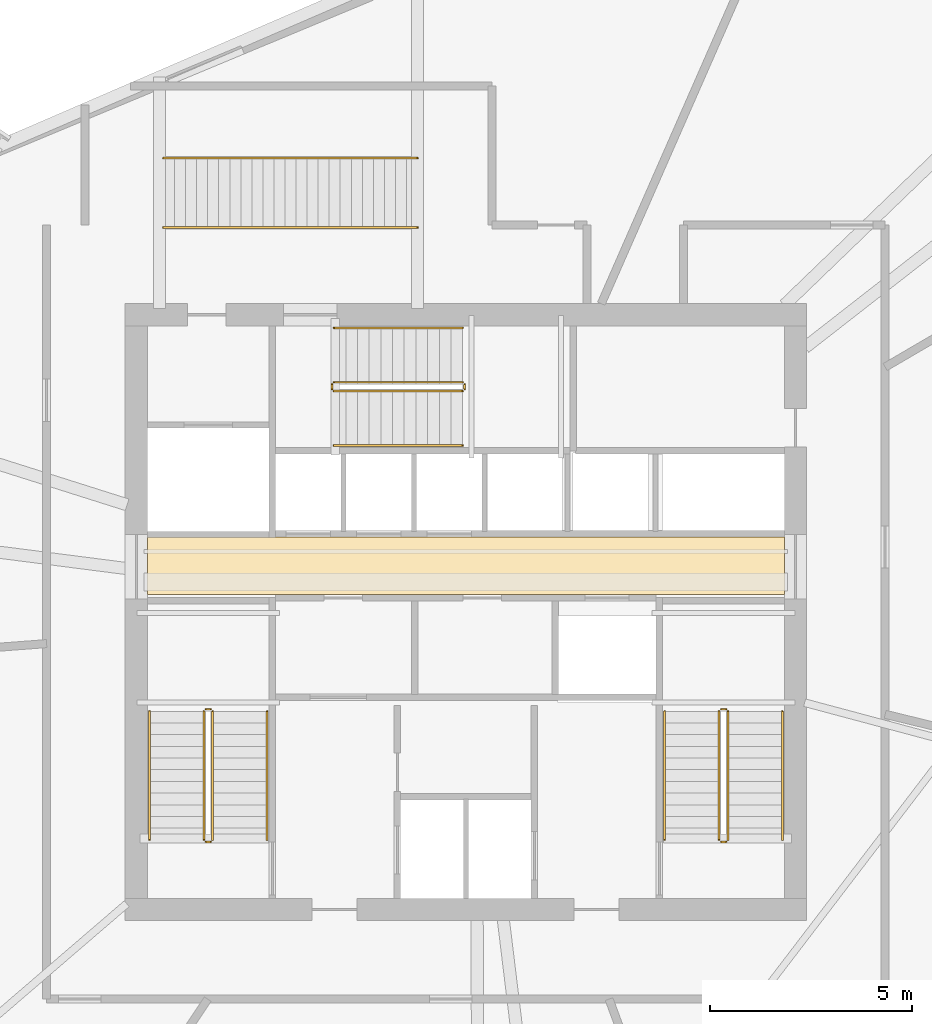
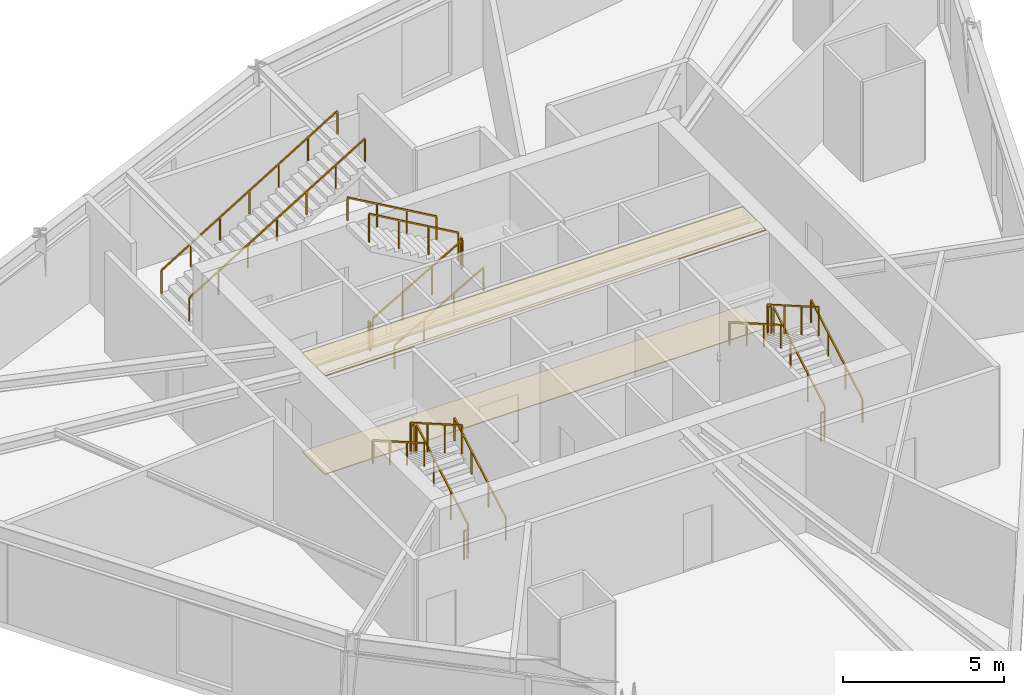
# One storey, part 13 of 14: 20 railings, 2 coverings.
"""IFC4 building model written with IfcOpenShell, lengths in metres."""

from ifc_helpers import new_model, si_unit, direction, frame, origin, origin_2d, place, context, subcontext, project, spatial, polyline, rectangle, outline, extrude, material, layer, layer_set, type_object, element, save


model = new_model("IFC4")

# Units and contexts
model_context = context("Model", 3, precision=1e-05, world=origin(), true_north=direction((0.0, 1.0)))
body_context = subcontext(model_context, "Body", "Model", "MODEL_VIEW")
ifc_project = project(units=[si_unit("LENGTHUNIT", "METRE"), si_unit("AREAUNIT", "SQUARE_METRE"), si_unit("VOLUMEUNIT", "CUBIC_METRE"), si_unit("PLANEANGLEUNIT", "RADIAN"), si_unit("MASSUNIT", "GRAM", prefix="KILO")], contexts=[model_context])

# Site, building, storey
site_placement = place(None, origin())
site = spatial("IfcSite", under=ifc_project, at=site_placement, CompositionType="ELEMENT")
building_placement = place(site_placement, origin())
building = spatial("IfcBuilding", under=site, at=building_placement, Name="Olszyna Solenne Hotel", CompositionType="ELEMENT")
storey_placement = place(building_placement, frame((0.0, 0.0, 196.300048828125)))
storey = spatial("IfcBuildingStorey", under=building, at=storey_placement, Name="L52", CompositionType="ELEMENT", Elevation=196.300048828125)

# Coverings
ifc_material_1 = material(Name="Mineral wool acoustic ceiling")
ifc_layer_1 = layer(ifc_material_1, 0.0400390625, Name="Mineral wool acoustic ceiling")
ifc_layer_set_1 = layer_set([ifc_layer_1], Name="Mineral wool acoustic ceiling")
covering_type_1 = type_object("IfcCoveringType", Name="CL-AC1", PredefinedType="CEILING", material=ifc_layer_set_1)
covering_1_placement = place(storey_placement, frame((0.0, 0.0, 3.719970703125)))
element("IfcCovering", 1, at=covering_1_placement, inside=storey, type_object=covering_type_1, Name="Lift lobby acoustic tile ceiling CL-L52-01", PredefinedType="CEILING", context=body_context, shape_type="SweptSolid", body=[
    extrude(outline(polyline([(30.10009765625, 27.030029296875), (45.89990234375, 27.030029296875), (45.89990234375, 28.4599609375), (30.10009765625, 28.4599609375), (30.10009765625, 27.030029296875)])), origin(), (0.0, 0.0, 1.0), 0.0400390625),
])
ifc_material_2 = material(Name="Ceramic floor tile")
ifc_layer_2 = layer(ifc_material_2, 0.030029296875, Name="Ceramic floor tile")
ifc_layer_set_2 = layer_set([ifc_layer_2], Name="Ceramic floor tile")
covering_type_2 = type_object("IfcCoveringType", Name="FL-TL1", PredefinedType="FLOORING", material=ifc_layer_set_2)
covering_2_placement = place(storey_placement, origin())
element("IfcCovering", 2, at=covering_2_placement, inside=storey, type_object=covering_type_2, Name="Lift lobby stoneware floor finish FLR-L52-01", PredefinedType="FLOORING", context=body_context, shape_type="SweptSolid", body=[
    extrude(outline(polyline([(30.10009765625, 27.030029296875), (45.89990234375, 27.030029296875), (45.89990234375, 28.4599609375), (30.10009765625, 28.4599609375), (30.10009765625, 27.030029296875)])), origin(), (0.0, 0.0, 1.0), 0.030029296875),
])

# Railings
ifc_material_3 = material(Name="Anodised bronze aluminium", Category="aluminium")
railing_type_1 = type_object("IfcRailingType", Name="GR-110", PredefinedType="BALUSTRADE", material=ifc_material_3)
railing_1_placement = place(storey_placement, frame((31.719970703125, 20.949951171875, 0.16650390625)))
element("IfcRailing", 3, at=railing_1_placement, inside=storey, type_object=railing_type_1, Name="L52 ST1 stair guard 1", PredefinedType="BALUSTRADE", context=body_context, shape_type="SweptSolid", body=[
    extrude(rectangle(XDim=0.048095703125, YDim=0.048095703125, at=origin_2d()), frame((0.0, 0.0, 1.076171875), z_axis=(0.0, 0.86699087805, 0.498324008431), x_axis=(-1.0, 0.0, 0.0)), (0.0, 0.0, 1.0), 3.679443359375),
    extrude(rectangle(XDim=0.0419921875, YDim=0.0419921875, at=origin_2d()), origin(), (0.0, 0.0, 1.0), 1.052001953125),
    extrude(rectangle(XDim=0.0419921875, YDim=0.0419921875, at=origin_2d()), frame((0.0, 1.063232421875, 0.611083984375)), (0.0, 0.0, 1.0), 1.052001953125),
    extrude(rectangle(XDim=0.0419921875, YDim=0.0419921875, at=origin_2d()), frame((0.0, 2.126708984375, 1.222412109375)), (0.0, 0.0, 1.0), 1.052001953125),
    extrude(rectangle(XDim=0.0419921875, YDim=0.0419921875, at=origin_2d()), frame((0.0, 3.18994140625, 1.83349609375)), (0.0, 0.0, 1.0), 1.052001953125),
])
railing_2_placement = place(storey_placement, frame((31.669921875, 24.18994140625, 2.0)))
element("IfcRailing", 4, at=railing_2_placement, inside=storey, type_object=railing_type_1, Name="L52 ST1 stair guard 2", PredefinedType="BALUSTRADE", context=body_context, shape_type="SweptSolid", body=[
    extrude(rectangle(XDim=0.048095703125, YDim=0.048095703125, at=origin_2d()), frame((0.0, 0.0, 1.076171875), z_axis=(-1.0, 0.0, 0.0), x_axis=(0.0, -1.0, 0.0)), (0.0, 0.0, 1.0), 0.119873046875),
    extrude(rectangle(XDim=0.0419921875, YDim=0.0419921875, at=origin_2d()), origin(), (0.0, 0.0, 1.0), 1.052001953125),
    extrude(rectangle(XDim=0.0419921875, YDim=0.0419921875, at=origin_2d()), frame((-0.119873046875, 0.0, 0.0)), (0.0, 0.0, 1.0), 1.052001953125),
])
railing_3_placement = place(storey_placement, frame((31.5, 24.139892578125, 2.16650390625)))
element("IfcRailing", 5, at=railing_3_placement, inside=storey, type_object=railing_type_1, Name="L52 ST1 stair guard 3", PredefinedType="BALUSTRADE", context=body_context, shape_type="SweptSolid", body=[
    extrude(rectangle(XDim=0.048095703125, YDim=0.048095703125, at=origin_2d()), frame((0.0, 0.0, 1.076171875), z_axis=(0.0, -0.86699087805, 0.498324008431), x_axis=(1.0, 0.0, 0.0)), (0.0, 0.0, 1.0), 3.679443359375),
    extrude(rectangle(XDim=0.0419921875, YDim=0.0419921875, at=origin_2d()), origin(), (0.0, 0.0, 1.0), 1.052001953125),
    extrude(rectangle(XDim=0.0419921875, YDim=0.0419921875, at=origin_2d()), frame((0.0, -1.063232421875, 0.611083984375)), (0.0, 0.0, 1.0), 1.052001953125),
    extrude(rectangle(XDim=0.0419921875, YDim=0.0419921875, at=origin_2d()), frame((0.0, -2.126708984375, 1.222412109375)), (0.0, 0.0, 1.0), 1.052001953125),
    extrude(rectangle(XDim=0.0419921875, YDim=0.0419921875, at=origin_2d()), frame((0.0, -3.18994140625, 1.83349609375)), (0.0, 0.0, 1.0), 1.052001953125),
])
railing_4_placement = place(storey_placement, frame((31.669921875, 20.89990234375, 0.0)))
element("IfcRailing", 6, at=railing_4_placement, inside=storey, type_object=railing_type_1, Name="L52 ST1 stair guard 4", PredefinedType="BALUSTRADE", context=body_context, shape_type="SweptSolid", body=[
    extrude(rectangle(XDim=0.048095703125, YDim=0.048095703125, at=origin_2d()), frame((0.0, 0.0, 1.076171875), z_axis=(-1.0, 0.0, 0.0), x_axis=(0.0, -1.0, 0.0)), (0.0, 0.0, 1.0), 0.119873046875),
    extrude(rectangle(XDim=0.0419921875, YDim=0.0419921875, at=origin_2d()), origin(), (0.0, 0.0, 1.0), 1.052001953125),
    extrude(rectangle(XDim=0.0419921875, YDim=0.0419921875, at=origin_2d()), frame((-0.119873046875, 0.0, 0.0)), (0.0, 0.0, 1.0), 1.052001953125),
])
railing_5_placement = place(storey_placement, frame((44.5, 20.949951171875, 0.16650390625)))
element("IfcRailing", 7, at=railing_5_placement, inside=storey, type_object=railing_type_1, Name="L52 ST2 stair guard 1", PredefinedType="BALUSTRADE", context=body_context, shape_type="SweptSolid", body=[
    extrude(rectangle(XDim=0.048095703125, YDim=0.048095703125, at=origin_2d()), frame((0.0, 0.0, 1.076171875), z_axis=(0.0, 0.86699087805, 0.498324008431), x_axis=(-1.0, 0.0, 0.0)), (0.0, 0.0, 1.0), 3.679443359375),
    extrude(rectangle(XDim=0.0419921875, YDim=0.0419921875, at=origin_2d()), origin(), (0.0, 0.0, 1.0), 1.052001953125),
    extrude(rectangle(XDim=0.0419921875, YDim=0.0419921875, at=origin_2d()), frame((0.0, 1.063232421875, 0.611083984375)), (0.0, 0.0, 1.0), 1.052001953125),
    extrude(rectangle(XDim=0.0419921875, YDim=0.0419921875, at=origin_2d()), frame((0.0, 2.126708984375, 1.222412109375)), (0.0, 0.0, 1.0), 1.052001953125),
    extrude(rectangle(XDim=0.0419921875, YDim=0.0419921875, at=origin_2d()), frame((0.0, 3.18994140625, 1.83349609375)), (0.0, 0.0, 1.0), 1.052001953125),
])
railing_6_placement = place(storey_placement, frame((44.449951171875, 24.18994140625, 2.0)))
element("IfcRailing", 8, at=railing_6_placement, inside=storey, type_object=railing_type_1, Name="L52 ST2 stair guard 2", PredefinedType="BALUSTRADE", context=body_context, shape_type="SweptSolid", body=[
    extrude(rectangle(XDim=0.048095703125, YDim=0.048095703125, at=origin_2d()), frame((0.0, 0.0, 1.076171875), z_axis=(-1.0, 0.0, 0.0), x_axis=(0.0, -1.0, 0.0)), (0.0, 0.0, 1.0), 0.119873046875),
    extrude(rectangle(XDim=0.0419921875, YDim=0.0419921875, at=origin_2d()), origin(), (0.0, 0.0, 1.0), 1.052001953125),
    extrude(rectangle(XDim=0.0419921875, YDim=0.0419921875, at=origin_2d()), frame((-0.119873046875, 0.0, 0.0)), (0.0, 0.0, 1.0), 1.052001953125),
])
railing_7_placement = place(storey_placement, frame((44.280029296875, 24.139892578125, 2.16650390625)))
element("IfcRailing", 9, at=railing_7_placement, inside=storey, type_object=railing_type_1, Name="L52 ST2 stair guard 3", PredefinedType="BALUSTRADE", context=body_context, shape_type="SweptSolid", body=[
    extrude(rectangle(XDim=0.048095703125, YDim=0.048095703125, at=origin_2d()), frame((0.0, 0.0, 1.076171875), z_axis=(0.0, -0.86699087805, 0.498324008431), x_axis=(1.0, 0.0, 0.0)), (0.0, 0.0, 1.0), 3.679443359375),
    extrude(rectangle(XDim=0.0419921875, YDim=0.0419921875, at=origin_2d()), origin(), (0.0, 0.0, 1.0), 1.052001953125),
    extrude(rectangle(XDim=0.0419921875, YDim=0.0419921875, at=origin_2d()), frame((0.0, -1.063232421875, 0.611083984375)), (0.0, 0.0, 1.0), 1.052001953125),
    extrude(rectangle(XDim=0.0419921875, YDim=0.0419921875, at=origin_2d()), frame((0.0, -2.126708984375, 1.222412109375)), (0.0, 0.0, 1.0), 1.052001953125),
    extrude(rectangle(XDim=0.0419921875, YDim=0.0419921875, at=origin_2d()), frame((0.0, -3.18994140625, 1.83349609375)), (0.0, 0.0, 1.0), 1.052001953125),
])
railing_8_placement = place(storey_placement, frame((44.449951171875, 20.89990234375, 0.0)))
element("IfcRailing", 10, at=railing_8_placement, inside=storey, type_object=railing_type_1, Name="L52 ST2 stair guard 4", PredefinedType="BALUSTRADE", context=body_context, shape_type="SweptSolid", body=[
    extrude(rectangle(XDim=0.048095703125, YDim=0.048095703125, at=origin_2d()), frame((0.0, 0.0, 1.076171875), z_axis=(-1.0, 0.0, 0.0), x_axis=(0.0, -1.0, 0.0)), (0.0, 0.0, 1.0), 0.119873046875),
    extrude(rectangle(XDim=0.0419921875, YDim=0.0419921875, at=origin_2d()), origin(), (0.0, 0.0, 1.0), 1.052001953125),
    extrude(rectangle(XDim=0.0419921875, YDim=0.0419921875, at=origin_2d()), frame((-0.119873046875, 0.0, 0.0)), (0.0, 0.0, 1.0), 1.052001953125),
])
railing_9_placement = place(storey_placement, frame((34.72998046875, 32.080078125, 0.16650390625)))
element("IfcRailing", 11, at=railing_9_placement, inside=storey, type_object=railing_type_1, Name="L52 ST3 stair guard 1", PredefinedType="BALUSTRADE", context=body_context, shape_type="SweptSolid", body=[
    extrude(rectangle(XDim=0.048095703125, YDim=0.048095703125, at=origin_2d()), frame((0.0, 0.0, 1.076171875), z_axis=(0.86699087805, 0.0, 0.498324008431), x_axis=(0.0, 1.0, 0.0)), (0.0, 0.0, 1.0), 3.679443359375),
    extrude(rectangle(XDim=0.0419921875, YDim=0.0419921875, at=origin_2d()), origin(), (0.0, 0.0, 1.0), 1.052001953125),
    extrude(rectangle(XDim=0.0419921875, YDim=0.0419921875, at=origin_2d()), frame((1.063232421875, 0.0, 0.611083984375)), (0.0, 0.0, 1.0), 1.052001953125),
    extrude(rectangle(XDim=0.0419921875, YDim=0.0419921875, at=origin_2d()), frame((2.126708984375, 0.0, 1.222412109375)), (0.0, 0.0, 1.0), 1.052001953125),
    extrude(rectangle(XDim=0.0419921875, YDim=0.0419921875, at=origin_2d()), frame((3.18994140625, 0.0, 1.83349609375)), (0.0, 0.0, 1.0), 1.052001953125),
])
railing_10_placement = place(storey_placement, frame((37.969970703125, 32.1298828125, 2.0)))
element("IfcRailing", 12, at=railing_10_placement, inside=storey, type_object=railing_type_1, Name="L52 ST3 stair guard 2", PredefinedType="BALUSTRADE", context=body_context, shape_type="SweptSolid", body=[
    extrude(rectangle(XDim=0.048095703125, YDim=0.048095703125, at=origin_2d()), frame((0.0, 0.0, 1.076171875), z_axis=(0.0, 1.0, 0.0), x_axis=(-1.0, 0.0, 0.0)), (0.0, 0.0, 1.0), 0.1201171875),
    extrude(rectangle(XDim=0.0419921875, YDim=0.0419921875, at=origin_2d()), origin(), (0.0, 0.0, 1.0), 1.052001953125),
    extrude(rectangle(XDim=0.0419921875, YDim=0.0419921875, at=origin_2d()), frame((0.0, 0.1201171875, 0.0)), (0.0, 0.0, 1.0), 1.052001953125),
])
railing_11_placement = place(storey_placement, frame((37.919921875, 32.300048828125, 2.16650390625)))
element("IfcRailing", 13, at=railing_11_placement, inside=storey, type_object=railing_type_1, Name="L52 ST3 stair guard 3", PredefinedType="BALUSTRADE", context=body_context, shape_type="SweptSolid", body=[
    extrude(rectangle(XDim=0.048095703125, YDim=0.048095703125, at=origin_2d()), frame((0.0, 0.0, 1.076171875), z_axis=(-0.86699087805, 0.0, 0.498324008431), x_axis=(0.0, -1.0, 0.0)), (0.0, 0.0, 1.0), 3.679443359375),
    extrude(rectangle(XDim=0.0419921875, YDim=0.0419921875, at=origin_2d()), origin(), (0.0, 0.0, 1.0), 1.052001953125),
    extrude(rectangle(XDim=0.0419921875, YDim=0.0419921875, at=origin_2d()), frame((-1.063232421875, 0.0, 0.611083984375)), (0.0, 0.0, 1.0), 1.052001953125),
    extrude(rectangle(XDim=0.0419921875, YDim=0.0419921875, at=origin_2d()), frame((-2.126708984375, 0.0, 1.222412109375)), (0.0, 0.0, 1.0), 1.052001953125),
    extrude(rectangle(XDim=0.0419921875, YDim=0.0419921875, at=origin_2d()), frame((-3.18994140625, 0.0, 1.83349609375)), (0.0, 0.0, 1.0), 1.052001953125),
])
railing_12_placement = place(storey_placement, frame((34.679931640625, 32.1298828125, 0.0)))
element("IfcRailing", 14, at=railing_12_placement, inside=storey, type_object=railing_type_1, Name="L52 ST3 stair guard 4", PredefinedType="BALUSTRADE", context=body_context, shape_type="SweptSolid", body=[
    extrude(rectangle(XDim=0.048095703125, YDim=0.048095703125, at=origin_2d()), frame((0.0, 0.0, 1.076171875), z_axis=(0.0, 1.0, 0.0), x_axis=(-1.0, 0.0, 0.0)), (0.0, 0.0, 1.0), 0.1201171875),
    extrude(rectangle(XDim=0.0419921875, YDim=0.0419921875, at=origin_2d()), origin(), (0.0, 0.0, 1.0), 1.052001953125),
    extrude(rectangle(XDim=0.0419921875, YDim=0.0419921875, at=origin_2d()), frame((0.0, 0.1201171875, 0.0)), (0.0, 0.0, 1.0), 1.052001953125),
])
ifc_material_4 = material(Name="Steel S355J2", Category="steel")
railing_type_2 = type_object("IfcRailingType", Name="HR-090", PredefinedType="HANDRAIL", material=ifc_material_4)
railing_13_placement = place(storey_placement, frame((33.070068359375, 20.949951171875, 0.16650390625)))
element("IfcRailing", 15, at=railing_13_placement, inside=storey, type_object=railing_type_2, Name="L52 ST1 stair handrail 1", PredefinedType="HANDRAIL", context=body_context, shape_type="SweptSolid", body=[
    extrude(rectangle(XDim=0.048095703125, YDim=0.048095703125, at=origin_2d()), frame((0.0, 0.0, 0.8759765625), z_axis=(0.0, 0.86699087805, 0.498324008431), x_axis=(-1.0, 0.0, 0.0)), (0.0, 0.0, 1.0), 3.679443359375),
    extrude(rectangle(XDim=0.0419921875, YDim=0.0419921875, at=origin_2d()), origin(), (0.0, 0.0, 1.0), 0.851806640625),
    extrude(rectangle(XDim=0.0419921875, YDim=0.0419921875, at=origin_2d()), frame((0.0, 1.063232421875, 0.611083984375)), (0.0, 0.0, 1.0), 0.851806640625),
    extrude(rectangle(XDim=0.0419921875, YDim=0.0419921875, at=origin_2d()), frame((0.0, 2.126708984375, 1.222412109375)), (0.0, 0.0, 1.0), 0.851806640625),
    extrude(rectangle(XDim=0.0419921875, YDim=0.0419921875, at=origin_2d()), frame((0.0, 3.18994140625, 1.83349609375)), (0.0, 0.0, 1.0), 0.851806640625),
])
railing_14_placement = place(storey_placement, frame((30.14990234375, 24.139892578125, 2.16650390625)))
element("IfcRailing", 16, at=railing_14_placement, inside=storey, type_object=railing_type_2, Name="L52 ST1 stair handrail 2", PredefinedType="HANDRAIL", context=body_context, shape_type="SweptSolid", body=[
    extrude(rectangle(XDim=0.048095703125, YDim=0.048095703125, at=origin_2d()), frame((0.0, 0.0, 0.8759765625), z_axis=(0.0, -0.86699087805, 0.498324008431), x_axis=(1.0, 0.0, 0.0)), (0.0, 0.0, 1.0), 3.679443359375),
    extrude(rectangle(XDim=0.0419921875, YDim=0.0419921875, at=origin_2d()), origin(), (0.0, 0.0, 1.0), 0.851806640625),
    extrude(rectangle(XDim=0.0419921875, YDim=0.0419921875, at=origin_2d()), frame((0.0, -1.063232421875, 0.611083984375)), (0.0, 0.0, 1.0), 0.851806640625),
    extrude(rectangle(XDim=0.0419921875, YDim=0.0419921875, at=origin_2d()), frame((0.0, -2.126708984375, 1.222412109375)), (0.0, 0.0, 1.0), 0.851806640625),
    extrude(rectangle(XDim=0.0419921875, YDim=0.0419921875, at=origin_2d()), frame((0.0, -3.18994140625, 1.83349609375)), (0.0, 0.0, 1.0), 0.851806640625),
])
railing_15_placement = place(storey_placement, frame((45.85009765625, 20.949951171875, 0.16650390625)))
element("IfcRailing", 17, at=railing_15_placement, inside=storey, type_object=railing_type_2, Name="L52 ST2 stair handrail 1", PredefinedType="HANDRAIL", context=body_context, shape_type="SweptSolid", body=[
    extrude(rectangle(XDim=0.048095703125, YDim=0.048095703125, at=origin_2d()), frame((0.0, 0.0, 0.8759765625), z_axis=(0.0, 0.86699087805, 0.498324008431), x_axis=(-1.0, 0.0, 0.0)), (0.0, 0.0, 1.0), 3.679443359375),
    extrude(rectangle(XDim=0.0419921875, YDim=0.0419921875, at=origin_2d()), origin(), (0.0, 0.0, 1.0), 0.851806640625),
    extrude(rectangle(XDim=0.0419921875, YDim=0.0419921875, at=origin_2d()), frame((0.0, 1.063232421875, 0.611083984375)), (0.0, 0.0, 1.0), 0.851806640625),
    extrude(rectangle(XDim=0.0419921875, YDim=0.0419921875, at=origin_2d()), frame((0.0, 2.126708984375, 1.222412109375)), (0.0, 0.0, 1.0), 0.851806640625),
    extrude(rectangle(XDim=0.0419921875, YDim=0.0419921875, at=origin_2d()), frame((0.0, 3.18994140625, 1.83349609375)), (0.0, 0.0, 1.0), 0.851806640625),
])
railing_16_placement = place(storey_placement, frame((42.929931640625, 24.139892578125, 2.16650390625)))
element("IfcRailing", 18, at=railing_16_placement, inside=storey, type_object=railing_type_2, Name="L52 ST2 stair handrail 2", PredefinedType="HANDRAIL", context=body_context, shape_type="SweptSolid", body=[
    extrude(rectangle(XDim=0.048095703125, YDim=0.048095703125, at=origin_2d()), frame((0.0, 0.0, 0.8759765625), z_axis=(0.0, -0.86699087805, 0.498324008431), x_axis=(1.0, 0.0, 0.0)), (0.0, 0.0, 1.0), 3.679443359375),
    extrude(rectangle(XDim=0.0419921875, YDim=0.0419921875, at=origin_2d()), origin(), (0.0, 0.0, 1.0), 0.851806640625),
    extrude(rectangle(XDim=0.0419921875, YDim=0.0419921875, at=origin_2d()), frame((0.0, -1.063232421875, 0.611083984375)), (0.0, 0.0, 1.0), 0.851806640625),
    extrude(rectangle(XDim=0.0419921875, YDim=0.0419921875, at=origin_2d()), frame((0.0, -2.126708984375, 1.222412109375)), (0.0, 0.0, 1.0), 0.851806640625),
    extrude(rectangle(XDim=0.0419921875, YDim=0.0419921875, at=origin_2d()), frame((0.0, -3.18994140625, 1.83349609375)), (0.0, 0.0, 1.0), 0.851806640625),
])
railing_17_placement = place(storey_placement, frame((34.72998046875, 30.72998046875, 0.16650390625)))
element("IfcRailing", 19, at=railing_17_placement, inside=storey, type_object=railing_type_2, Name="L52 ST3 stair handrail 1", PredefinedType="HANDRAIL", context=body_context, shape_type="SweptSolid", body=[
    extrude(rectangle(XDim=0.048095703125, YDim=0.048095703125, at=origin_2d()), frame((0.0, 0.0, 0.8759765625), z_axis=(0.86699087805, 0.0, 0.498324008431), x_axis=(0.0, 1.0, 0.0)), (0.0, 0.0, 1.0), 3.679443359375),
    extrude(rectangle(XDim=0.0419921875, YDim=0.0419921875, at=origin_2d()), origin(), (0.0, 0.0, 1.0), 0.851806640625),
    extrude(rectangle(XDim=0.0419921875, YDim=0.0419921875, at=origin_2d()), frame((1.063232421875, 0.0, 0.611083984375)), (0.0, 0.0, 1.0), 0.851806640625),
    extrude(rectangle(XDim=0.0419921875, YDim=0.0419921875, at=origin_2d()), frame((2.126708984375, 0.0, 1.222412109375)), (0.0, 0.0, 1.0), 0.851806640625),
    extrude(rectangle(XDim=0.0419921875, YDim=0.0419921875, at=origin_2d()), frame((3.18994140625, 0.0, 1.83349609375)), (0.0, 0.0, 1.0), 0.851806640625),
])
railing_18_placement = place(storey_placement, frame((37.919921875, 33.64990234375, 2.16650390625)))
element("IfcRailing", 20, at=railing_18_placement, inside=storey, type_object=railing_type_2, Name="L52 ST3 stair handrail 2", PredefinedType="HANDRAIL", context=body_context, shape_type="SweptSolid", body=[
    extrude(rectangle(XDim=0.048095703125, YDim=0.048095703125, at=origin_2d()), frame((0.0, 0.0, 0.8759765625), z_axis=(-0.86699087805, 0.0, 0.498324008431), x_axis=(0.0, -1.0, 0.0)), (0.0, 0.0, 1.0), 3.679443359375),
    extrude(rectangle(XDim=0.0419921875, YDim=0.0419921875, at=origin_2d()), origin(), (0.0, 0.0, 1.0), 0.851806640625),
    extrude(rectangle(XDim=0.0419921875, YDim=0.0419921875, at=origin_2d()), frame((-1.063232421875, 0.0, 0.611083984375)), (0.0, 0.0, 1.0), 0.851806640625),
    extrude(rectangle(XDim=0.0419921875, YDim=0.0419921875, at=origin_2d()), frame((-2.126708984375, 0.0, 1.222412109375)), (0.0, 0.0, 1.0), 0.851806640625),
    extrude(rectangle(XDim=0.0419921875, YDim=0.0419921875, at=origin_2d()), frame((-3.18994140625, 0.0, 1.83349609375)), (0.0, 0.0, 1.0), 0.851806640625),
])
for number, where, name in (
    (21, (30.500244140625, 36.139892578125, 0.166748046875), "Feature stair handrail HR-FS-04-S"),
    (22, (30.500244140625, 37.860107421875, 0.166748046875), "Feature stair handrail HR-FS-04-N"),
):
    element("IfcRailing", number, at=place(storey_placement, frame(where)), inside=storey, type_object=railing_type_2, Name=name, PredefinedType="HANDRAIL", context=body_context, shape_type="SweptSolid", body=[
        extrude(rectangle(XDim=0.048095703125, YDim=0.048095703125, at=origin_2d()), frame((0.0, 0.0, 0.8759765625), z_axis=(0.854283571161, 0.0, 0.519807252782), x_axis=(0.0, 1.0, 0.0)), (0.0, 0.0, 1.0), 7.374267578125),
        extrude(rectangle(XDim=0.0419921875, YDim=0.0419921875, at=origin_2d()), origin(), (0.0, 0.0, 1.0), 0.851806640625),
        extrude(rectangle(XDim=0.0419921875, YDim=0.0419921875, at=origin_2d()), frame((1.050048828125, 0.0, 0.638916015625)), (0.0, 0.0, 1.0), 0.851806640625),
        extrude(rectangle(XDim=0.0419921875, YDim=0.0419921875, at=origin_2d()), frame((2.099853515625, 0.0, 1.27783203125)), (0.0, 0.0, 1.0), 0.851806640625),
        extrude(rectangle(XDim=0.0419921875, YDim=0.0419921875, at=origin_2d()), frame((3.14990234375, 0.0, 1.91650390625)), (0.0, 0.0, 1.0), 0.851806640625),
        extrude(rectangle(XDim=0.0419921875, YDim=0.0419921875, at=origin_2d()), frame((4.199951171875, 0.0, 2.555419921875)), (0.0, 0.0, 1.0), 0.851806640625),
        extrude(rectangle(XDim=0.0419921875, YDim=0.0419921875, at=origin_2d()), frame((5.249755859375, 0.0, 3.1943359375)), (0.0, 0.0, 1.0), 0.851806640625),
        extrude(rectangle(XDim=0.0419921875, YDim=0.0419921875, at=origin_2d()), frame((6.2998046875, 0.0, 3.833251953125)), (0.0, 0.0, 1.0), 0.851806640625),
    ])

save(model, "model.ifc")
